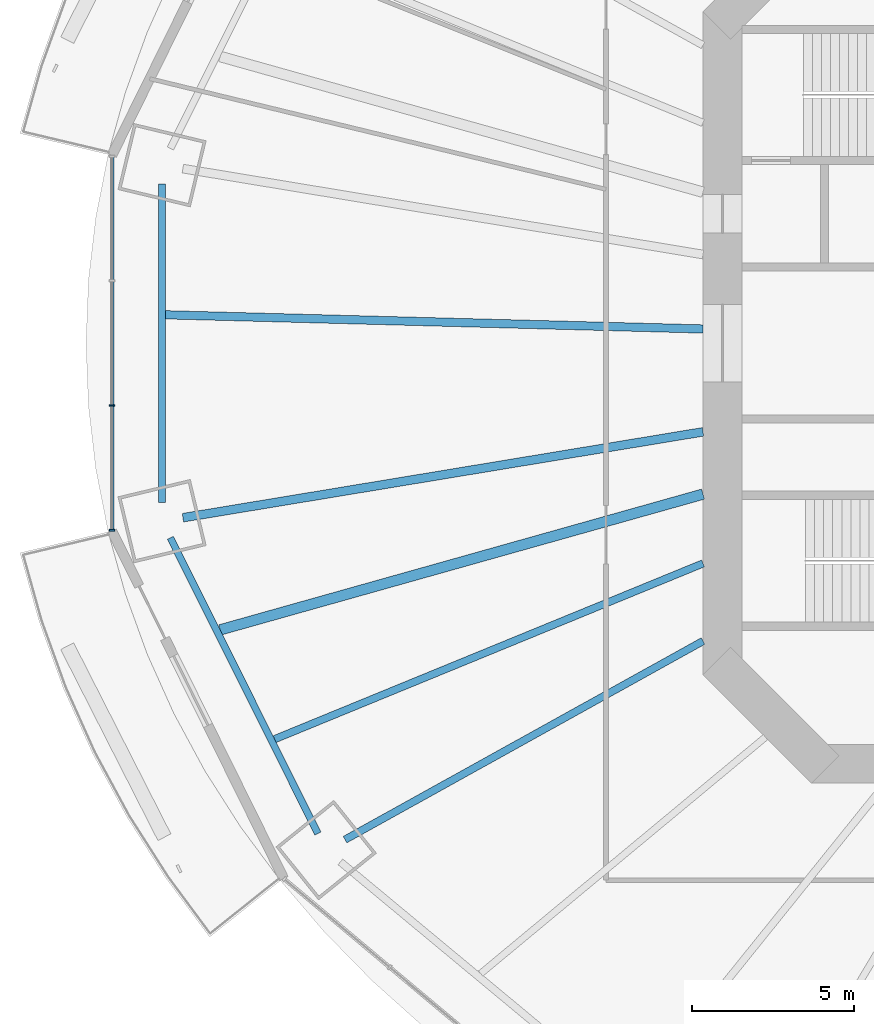
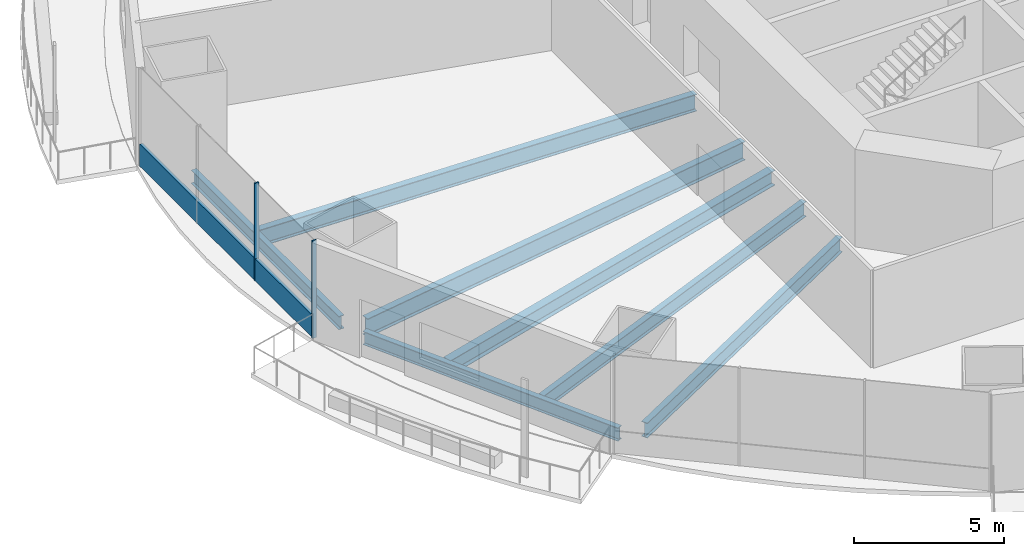
# One storey, part 3 of 22: 7 beams, 3 members, 1 element without a shape of its own.
"""IFC4 building model written with IfcOpenShell, lengths in metres."""

from ifc_helpers import new_model, si_unit, direction, frame, origin, origin_2d, place, context, subcontext, project, spatial, rectangle, i_section, extrude, material, material_profile, profile_set, type_object, element, aggregate, save


model = new_model("IFC4")

# Units and contexts
model_context = context("Model", 3, precision=1e-05, world=origin(), true_north=direction((0.0, 1.0)))
body_context = subcontext(model_context, "Body", "Model", "MODEL_VIEW")
ifc_project = project(units=[si_unit("LENGTHUNIT", "METRE"), si_unit("AREAUNIT", "SQUARE_METRE"), si_unit("VOLUMEUNIT", "CUBIC_METRE"), si_unit("PLANEANGLEUNIT", "RADIAN"), si_unit("MASSUNIT", "GRAM", prefix="KILO")], contexts=[model_context])

# Site, building, storey
site_placement = place(None, origin())
site = spatial("IfcSite", under=ifc_project, at=site_placement, CompositionType="ELEMENT")
building_placement = place(site_placement, origin())
building = spatial("IfcBuilding", under=site, at=building_placement, Name="Marenthal Gate Tower", CompositionType="ELEMENT")
storey_placement = place(building_placement, frame((0.0, 0.0, 70.35009765625)))
storey = spatial("IfcBuildingStorey", under=building, at=storey_placement, Name="L13", CompositionType="ELEMENT", Elevation=70.35009765625)

# Curtain wall, members
ifc_material_1 = material(Name="Aluminium and glass", Category="aluminium")
curtain_wall_type = type_object("IfcCurtainWallType", Name="Curtain wall typical low", PredefinedType="NOTDEFINED", material=ifc_material_1)
curtain_wall_placement = place(storey_placement, origin())
curtain_wall = element("IfcCurtainWall", 1, at=curtain_wall_placement, inside=storey, type_object=curtain_wall_type, Name="Curtain wall L13 bay 8", PredefinedType="NOTDEFINED")
ifc_material_2 = material(Name="Aluminium", Category="aluminium")
ifc_material_profile_1 = material_profile(ifc_material_2, rectangle(XDim=0.159912109375, YDim=0.06005859375, at=origin_2d()), Name="60x160 aluminium mullion")
ifc_profile_set_1 = profile_set([ifc_material_profile_1], Name="Aluminium")
member_type_1 = type_object("IfcMemberType", Name="Mullion 60x160 typical low", PredefinedType="MULLION", material=ifc_profile_set_1)
member_1_placement = place(storey_placement, frame((-34.869873046875, -1.927001953125, 0.0), z_axis=(0.0, 0.0, 1.0), x_axis=(1.0, 0.0, 0.0)))
member_1 = element("IfcMember", 2, at=member_1_placement, type_object=member_type_1, Name="Mullion L13 bay 8.3", PredefinedType="MULLION", context=body_context, shape_type="SweptSolid", body=[
    extrude(rectangle(XDim=0.159912109375, YDim=0.06005859375, at=origin_2d()), origin(), (0.0, 0.0, 1.0), 3.969970703125),
])
member_2_placement = place(storey_placement, frame((-34.869873046875, -5.780517578125, 0.0), z_axis=(0.0, 0.0, 1.0), x_axis=(1.0, 0.0, 0.0)))
member_2 = element("IfcMember", 3, at=member_2_placement, type_object=member_type_1, Name="Mullion L13 bay 8.4", PredefinedType="MULLION", context=body_context, shape_type="SweptSolid", body=[
    extrude(rectangle(XDim=0.159912109375, YDim=0.06005859375, at=origin_2d()), origin(), (0.0, 0.0, 1.0), 3.969970703125),
])
ifc_material_3 = material(Name="Aluminium", Category="aluminium")
ifc_material_profile_2 = material_profile(ifc_material_3, rectangle(XDim=0.1201171875, YDim=0.89990234375, at=origin_2d()), Name="120x900 aluminium transom")
ifc_profile_set_2 = profile_set([ifc_material_profile_2], Name="Aluminium")
member_type_2 = type_object("IfcMemberType", Name="Transom 120x900 typical low", PredefinedType="USERDEFINED", material=ifc_profile_set_2)
member_3_placement = place(storey_placement, frame((-34.869873046875, 5.75048828125, 0.449951171875), z_axis=(0.0, -1.0, 0.0), x_axis=(1.0, 0.0, 0.0)))
member_3 = element("IfcMember", 4, at=member_3_placement, type_object=member_type_2, Name="Transom L13 bay 8", ObjectType="TRANSOM", PredefinedType="USERDEFINED", context=body_context, shape_type="SweptSolid", body=[
    extrude(rectangle(XDim=0.1201171875, YDim=0.89990234375, at=origin_2d()), origin(), (0.0, 0.0, 1.0), 11.5009765625),
])
aggregate(curtain_wall, [member_1, member_2, member_3])

# Beams
ifc_material_4 = material(Name="Steel S355", Category="steel")
ifc_material_profile_3 = material_profile(ifc_material_4, i_section(OverallWidth=0.2119140625, OverallDepth=0.5439453125, WebThickness=0.01318359375, FlangeThickness=0.021240234375, FilletRadius=0.0126953125, at=origin_2d()), Name="W530X123")
ifc_profile_set_3 = profile_set([ifc_material_profile_3], Name="Steel S355")
beam_type_1 = type_object("IfcBeamType", Name="W530X123 beam", PredefinedType="BEAM", material=ifc_profile_set_3)
beam_1_placement = place(storey_placement, frame((-33.3203125, 4.922607421875, -0.4521484375), z_axis=(0.0, -1.0, 0.0), x_axis=(1.0, 0.0, 0.0)))
element("IfcBeam", 5, at=beam_1_placement, inside=storey, type_object=beam_type_1, Name="BM-L13-48", PredefinedType="BEAM", context=body_context, shape_type="SweptSolid", body=[
    extrude(i_section(OverallWidth=0.2119140625, OverallDepth=0.5439453125, WebThickness=0.01318359375, FlangeThickness=0.021240234375, FilletRadius=0.0126953125, at=origin_2d()), origin(), (0.0, 0.0, 1.0), 9.84521484375),
])
beam_2_placement = place(storey_placement, frame((-33.062255859375, -6.019287109375, -0.4521484375), z_axis=(0.446448228661, -0.894809465264, 0.0), x_axis=(0.894809465264, 0.446448228661, 0.0)))
element("IfcBeam", 6, at=beam_2_placement, inside=storey, type_object=beam_type_1, Name="BM-L13-49", PredefinedType="BEAM", context=body_context, shape_type="SweptSolid", body=[
    extrude(i_section(OverallWidth=0.2119140625, OverallDepth=0.5439453125, WebThickness=0.01318359375, FlangeThickness=0.021240234375, FilletRadius=0.0126953125, at=origin_2d()), origin(), (0.0, 0.0, 1.0), 10.209716796875),
])
ifc_material_5 = material(Name="Steel S355", Category="steel")
ifc_material_profile_4 = material_profile(ifc_material_5, i_section(OverallWidth=0.22900390625, OverallDepth=0.612060546875, WebThickness=0.011962890625, FlangeThickness=0.01953125, FilletRadius=0.0126953125, at=origin_2d()), Name="W610X125")
ifc_profile_set_4 = profile_set([ifc_material_profile_4], Name="Steel S355")
beam_type_2 = type_object("IfcBeamType", Name="W610X125 beam", PredefinedType="BEAM", material=ifc_profile_set_4)
beam_3_placement = place(storey_placement, frame((-27.6640625, -15.345703125, -0.486083984375), z_axis=(0.874465657006, 0.485087429972, 0.0), x_axis=(-0.485087429972, 0.874465657006, 0.0)))
element("IfcBeam", 7, at=beam_3_placement, inside=storey, type_object=beam_type_2, Name="BM-L13-10", PredefinedType="BEAM", context=body_context, shape_type="SweptSolid", body=[
    extrude(i_section(OverallWidth=0.22900390625, OverallDepth=0.612060546875, WebThickness=0.011962890625, FlangeThickness=0.01953125, FilletRadius=0.0126953125, at=origin_2d()), origin(), (0.0, 0.0, 1.0), 12.65234375),
])
beam_4_placement = place(storey_placement, frame((-29.840087890625, -12.239990234375, -0.486083984375), z_axis=(0.925190275705, 0.379503562225, 0.0), x_axis=(-0.379503562225, 0.925190275705, 0.0)))
element("IfcBeam", 8, at=beam_4_placement, inside=storey, type_object=beam_type_2, Name="BM-L13-30", PredefinedType="BEAM", context=body_context, shape_type="SweptSolid", body=[
    extrude(i_section(OverallWidth=0.22900390625, OverallDepth=0.612060546875, WebThickness=0.011962890625, FlangeThickness=0.01953125, FilletRadius=0.0126953125, at=origin_2d()), origin(), (0.0, 0.0, 1.0), 14.310546875),
])
ifc_material_6 = material(Name="Steel S355", Category="steel")
ifc_material_profile_5 = material_profile(ifc_material_6, i_section(OverallWidth=0.324951171875, OverallDepth=0.612060546875, WebThickness=0.0126953125, FlangeThickness=0.01904296875, FilletRadius=0.0126953125, at=origin_2d()), Name="W610X155")
ifc_profile_set_5 = profile_set([ifc_material_profile_5], Name="Steel S355")
beam_type_3 = type_object("IfcBeamType", Name="W610X155 beam", PredefinedType="BEAM", material=ifc_profile_set_5)
beam_5_placement = place(storey_placement, frame((-31.525390625, -8.862060546875, -0.486083984375), z_axis=(0.962687612966, 0.270615150797, 0.0), x_axis=(-0.270615150797, 0.962687612966, 0.0)))
element("IfcBeam", 9, at=beam_5_placement, inside=storey, type_object=beam_type_3, Name="BM-L13-29", PredefinedType="BEAM", context=body_context, shape_type="SweptSolid", body=[
    extrude(i_section(OverallWidth=0.324951171875, OverallDepth=0.612060546875, WebThickness=0.0126953125, FlangeThickness=0.01904296875, FilletRadius=0.0126953125, at=origin_2d()), origin(), (0.0, 0.0, 1.0), 15.503662109375),
])
ifc_material_7 = material(Name="Steel S355", Category="steel")
ifc_material_profile_6 = material_profile(ifc_material_7, i_section(OverallWidth=0.257080078125, OverallDepth=0.693115234375, WebThickness=0.014404296875, FlangeThickness=0.023681640625, FilletRadius=0.015380859375, at=origin_2d()), Name="W690X170")
ifc_profile_set_6 = profile_set([ifc_material_profile_6], Name="Steel S355")
beam_type_4 = type_object("IfcBeamType", Name="W690X170 beam", PredefinedType="BEAM", material=ifc_profile_set_6)
beam_6_placement = place(storey_placement, frame((-33.214111328125, 0.877685546875, -0.526611328125), z_axis=(0.999651138497, -0.026412143055, 0.0), x_axis=(0.026412143055, 0.999651138497, 0.0)))
element("IfcBeam", 10, at=beam_6_placement, inside=storey, type_object=beam_type_4, Name="BM-L13-28", PredefinedType="BEAM", context=body_context, shape_type="SweptSolid", body=[
    extrude(i_section(OverallWidth=0.257080078125, OverallDepth=0.693115234375, WebThickness=0.014404296875, FlangeThickness=0.023681640625, FilletRadius=0.015380859375, at=origin_2d()), origin(), (0.0, 0.0, 1.0), 16.619873046875),
])
ifc_material_8 = material(Name="Steel S355", Category="steel")
ifc_material_profile_7 = material_profile(ifc_material_8, i_section(OverallWidth=0.26708984375, OverallDepth=0.761962890625, WebThickness=0.014404296875, FlangeThickness=0.021484375, FilletRadius=0.0166015625, at=origin_2d()), Name="W760X173")
ifc_profile_set_7 = profile_set([ifc_material_profile_7], Name="Steel S355")
beam_type_5 = type_object("IfcBeamType", Name="W760X173 beam", PredefinedType="BEAM", material=ifc_profile_set_7)
beam_7_placement = place(storey_placement, frame((-32.676025390625, -5.39599609375, -0.56103515625), z_axis=(0.986637030798, 0.162933635137, 0.0), x_axis=(-0.162933635137, 0.986637030798, 0.0)))
element("IfcBeam", 11, at=beam_7_placement, inside=storey, type_object=beam_type_5, Name="BM-L13-09", PredefinedType="BEAM", context=body_context, shape_type="SweptSolid", body=[
    extrude(i_section(OverallWidth=0.26708984375, OverallDepth=0.761962890625, WebThickness=0.014404296875, FlangeThickness=0.021484375, FilletRadius=0.0166015625, at=origin_2d()), origin(), (0.0, 0.0, 1.0), 16.293701171875),
])

save(model, "model.ifc")
